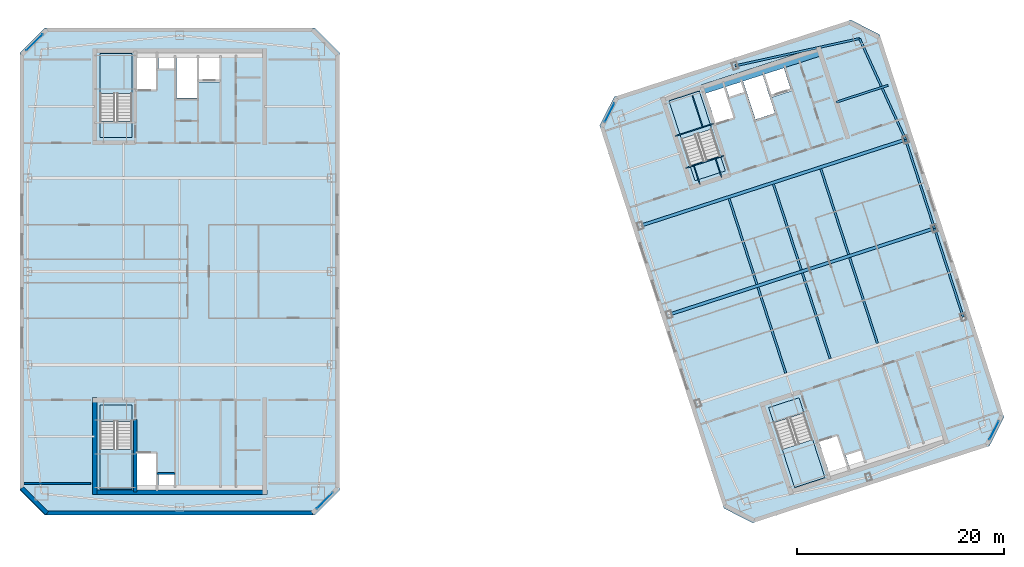
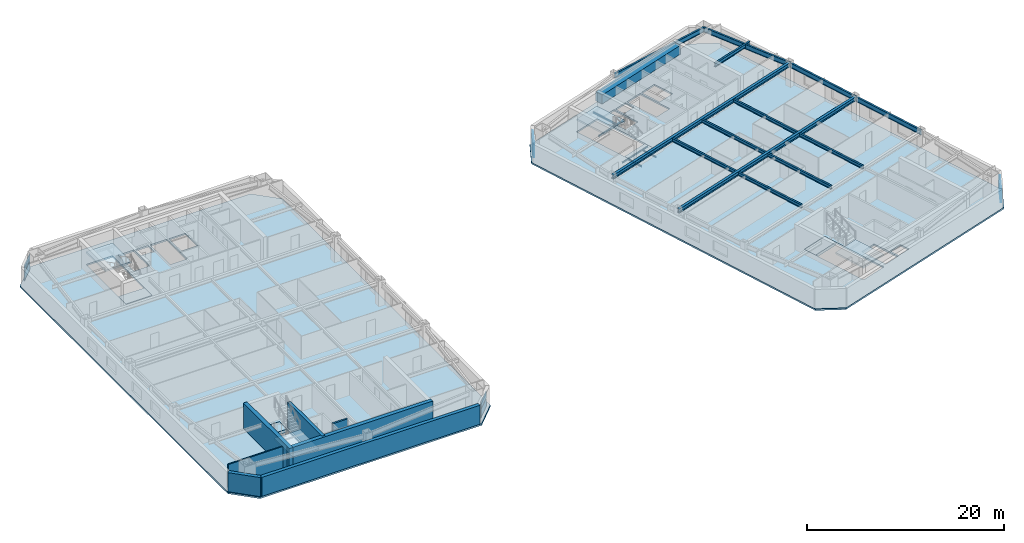
# One storey, part 11 of 20: 19 beams, 10 slabs, 8 plates, 7 walls, 8 elements without a shape of their own.
"""IFC4 building model written with IfcOpenShell, lengths in metres."""

from ifc_helpers import new_model, si_unit, direction, frame, frame_2d, origin, origin_2d, place, context, subcontext, project, spatial, polyline, rectangle, i_section, outline, extrude, material, layer, layer_set, material_profile, profile_set, type_object, element, aggregate, save


model = new_model("IFC4")

# Units and contexts
model_context = context("Model", 3, precision=1e-05, world=origin(), true_north=direction((0.0, 1.0)))
body_context = subcontext(model_context, "Body", "Model", "MODEL_VIEW")
ifc_project = project(units=[si_unit("LENGTHUNIT", "METRE"), si_unit("AREAUNIT", "SQUARE_METRE"), si_unit("VOLUMEUNIT", "CUBIC_METRE"), si_unit("PLANEANGLEUNIT", "RADIAN"), si_unit("MASSUNIT", "GRAM", prefix="KILO")], contexts=[model_context])

# Site, building, storey
site_placement = place(None, origin())
site = spatial("IfcSite", under=ifc_project, at=site_placement, CompositionType="ELEMENT")
building_placement = place(site_placement, origin())
building = spatial("IfcBuilding", under=site, at=building_placement, Name="Qiaolan Cultural Towers", CompositionType="ELEMENT")
storey_placement = place(building_placement, frame((0.0, 0.0, 244.0)))
storey = spatial("IfcBuildingStorey", under=building, at=storey_placement, Name="L66", CompositionType="ELEMENT", Elevation=244.0)

# Beams
ifc_material_1 = material(Name="Steel Q355B", Category="steel")
ifc_material_profile_1 = material_profile(ifc_material_1, i_section(OverallWidth=0.300048828125, OverallDepth=0.488037109375, WebThickness=0.010986328125, FlangeThickness=0.01806640625, at=origin_2d()), Name="HM488x300x11x18")
ifc_profile_set_1 = profile_set([ifc_material_profile_1], Name="Steel Q355B")
beam_type_1 = type_object("IfcBeamType", Name="BM-HM488x300x11x18", PredefinedType="BEAM", material=ifc_profile_set_1)
beam_1_placement = place(storey_placement, frame((77.208251953125, 29.84375, 2.696044921875), z_axis=(0.95105740976, 0.309014244561, 0.0), x_axis=(-0.309014244561, 0.95105740976, 0.0)))
element("IfcBeam", 1, at=beam_1_placement, inside=storey, type_object=beam_type_1, Name="L66 T2 Primary Transverse Girder V2", PredefinedType="BEAM", context=body_context, shape_type="SweptSolid", body=[
    extrude(i_section(OverallWidth=0.300048828125, OverallDepth=0.488037109375, WebThickness=0.010986328125, FlangeThickness=0.01806640625, at=origin_2d()), origin(), (0.0, 0.0, 1.0), 26.900146484375),
])
beam_2_placement = place(storey_placement, frame((74.42724609375, 38.4033203125, 2.696044921875), z_axis=(0.951056543098, 0.309016911884, 0.0), x_axis=(-0.309016911884, 0.951056543098, 0.0)))
element("IfcBeam", 2, at=beam_2_placement, inside=storey, type_object=beam_type_1, Name="L66 T2 Primary Transverse Girder V3", PredefinedType="BEAM", context=body_context, shape_type="SweptSolid", body=[
    extrude(i_section(OverallWidth=0.300048828125, OverallDepth=0.488037109375, WebThickness=0.010986328125, FlangeThickness=0.01806640625, at=origin_2d()), origin(), (0.0, 0.0, 1.0), 26.89990234375),
])
ifc_material_2 = material(Name="Steel Q355B", Category="steel")
ifc_material_profile_2 = material_profile(ifc_material_2, i_section(OverallWidth=0.199951171875, OverallDepth=0.39990234375, WebThickness=0.008056640625, FlangeThickness=0.012939453125, at=origin_2d()), Name="HN400x200x8x13")
ifc_profile_set_2 = profile_set([ifc_material_profile_2], Name="Steel Q355B")
beam_type_2 = type_object("IfcBeamType", Name="BM-JST-HN400x200x8x13", PredefinedType="JOIST", material=ifc_profile_set_2)
for number, where, z_axis, x_axis, name in (
    (3, (88.455078125, 24.192626953125, 2.739990234375), (-0.309020714809, 0.951055307445, 0.0), (-0.951055307445, -0.309020714809, 0.0), "L66 T2 Secondary Floor Joist U1-2"),
    (4, (85.673828125, 32.752197265625, 2.739990234375), (-0.309020714809, 0.951055307445, 0.0), (-0.951055307445, -0.309020714809, 0.0), "L66 T2 Secondary Floor Joist U1-3"),
    (5, (92.73486328125, 25.583251953125, 2.739990234375), (-0.309020714809, 0.951055307445, 0.0), (-0.951055307445, -0.309020714809, 0.0), "L66 T2 Secondary Floor Joist U2-2"),
    (6, (89.95361328125, 34.142578125, 2.739990234375), (-0.309020714809, 0.951055307445, 0.0), (-0.951055307445, -0.309020714809, 0.0), "L66 T2 Secondary Floor Joist U2-3"),
    (7, (97.2998046875, 27.06640625, 2.739990234375), (-0.309020714809, 0.951055307445, 0.0), (-0.951055307445, -0.309020714809, 0.0), "L66 T2 Secondary Floor Joist U3-2"),
    (8, (94.518798828125, 35.6259765625, 2.739990234375), (-0.309020714809, 0.951055307445, 0.0), (-0.951055307445, -0.309020714809, 0.0), "L66 T2 Secondary Floor Joist U3-3"),
):
    element("IfcBeam", number, at=place(storey_placement, frame(where, z_axis=z_axis, x_axis=x_axis)), inside=storey, type_object=beam_type_2, Name=name, PredefinedType="JOIST", context=body_context, shape_type="SweptSolid", body=[
        extrude(i_section(OverallWidth=0.199951171875, OverallDepth=0.39990234375, WebThickness=0.008056640625, FlangeThickness=0.012939453125, at=origin_2d()), origin(), (0.0, 0.0, 1.0), 8.699951171875),
    ])
ifc_material_3 = material(Name="Steel Q355B", Category="steel")
ifc_material_profile_3 = material_profile(ifc_material_3, i_section(OverallWidth=0.199951171875, OverallDepth=0.449951171875, WebThickness=0.009033203125, FlangeThickness=0.013916015625, at=origin_2d()), Name="HN450x200x9x14")
ifc_profile_set_3 = profile_set([ifc_material_profile_3], Name="Steel Q355B")
beam_type_3 = type_object("IfcBeamType", Name="BM-LNT-HN450x200x9x14", PredefinedType="LINTEL", material=ifc_profile_set_3)
beam_3_placement = place(storey_placement, frame((93.31787109375, 50.32421875, 2.715087890625), z_axis=(0.951060037126, 0.309006158161, 0.0), x_axis=(-0.309006158161, 0.951060037126, 0.0)))
element("IfcBeam", 9, at=beam_3_placement, inside=storey, type_object=beam_type_3, Name="L66 T2 Core Flank Tie Lintel EN", PredefinedType="LINTEL", context=body_context, shape_type="SweptSolid", body=[
    extrude(i_section(OverallWidth=0.199951171875, OverallDepth=0.449951171875, WebThickness=0.009033203125, FlangeThickness=0.013916015625, at=origin_2d()), origin(), (0.0, 0.0, 1.0), 5.25),
])
ifc_material_4 = material(Name="Concrete C50", Category="concrete")
ifc_material_profile_4 = material_profile(ifc_material_4, rectangle(XDim=0.89990234375, YDim=1.10009765625, at=origin_2d()), Name="RC900x1100")
ifc_profile_set_4 = profile_set([ifc_material_profile_4], Name="Concrete C50")
beam_type_4 = type_object("IfcBeamType", Name="BM-RC900x1100", PredefinedType="BEAM", material=ifc_profile_set_4)
beam_4_placement = place(storey_placement, frame((80.427978515625, 51.551025390625, 2.389892578125), z_axis=(0.951056266386, 0.309017763514, 0.0), x_axis=(-0.309017763514, 0.951056266386, 0.0)))
element("IfcBeam", 10, at=beam_4_placement, inside=storey, type_object=beam_type_4, Name="L66 T2 Core Header Girder N", PredefinedType="BEAM", context=body_context, shape_type="SweptSolid", body=[
    extrude(rectangle(XDim=0.89990234375, YDim=1.10009765625, at=origin_2d()), origin(), (0.0, 0.0, 1.0), 11.880126953125),
])
ifc_material_5 = material(Name="Steel Q355B", Category="steel")
ifc_material_profile_5 = material_profile(ifc_material_5, i_section(OverallWidth=0.199951171875, OverallDepth=0.60009765625, WebThickness=0.010986328125, FlangeThickness=0.01708984375, at=origin_2d()), Name="HN600x200x11x17")
ifc_profile_set_5 = profile_set([ifc_material_profile_5], Name="Steel Q355B")
beam_type_5 = type_object("IfcBeamType", Name="BM-SPD-HN600x200x11x17", PredefinedType="SPANDREL", material=ifc_profile_set_5)
for number, where, z_axis, x_axis, name in (
    (11, (105.57275390625, 29.5966796875, 2.639892578125), (-0.309000197986, 0.951061973609, 0.0), (-0.951061973609, -0.309000197986, 0.0), "L66 T2 Perimeter Spandrel Beam 4"),
    (12, (102.791748046875, 38.15625, 2.639892578125), (-0.309024734286, 0.951054001411, 0.0), (-0.951054001411, -0.309024734286, 0.0), "L66 T2 Perimeter Spandrel Beam 5"),
):
    element("IfcBeam", number, at=place(storey_placement, frame(where, z_axis=z_axis, x_axis=x_axis)), inside=storey, type_object=beam_type_5, Name=name, PredefinedType="SPANDREL", context=body_context, shape_type="SweptSolid", body=[
        extrude(i_section(OverallWidth=0.199951171875, OverallDepth=0.60009765625, WebThickness=0.010986328125, FlangeThickness=0.01708984375, at=origin_2d()), origin(), (0.0, 0.0, 1.0), 9.0),
    ])
beam_5_placement = place(storey_placement, frame((100.010498046875, 46.7158203125, 2.639892578125), z_axis=(-0.414500208282, 0.910049216985, 0.0), x_axis=(-0.910049216985, -0.414500208282, 0.0)))
element("IfcBeam", 13, at=beam_5_placement, inside=storey, type_object=beam_type_5, Name="L66 T2 Perimeter Spandrel Beam 6", PredefinedType="SPANDREL", context=body_context, shape_type="SweptSolid", body=[
    extrude(i_section(OverallWidth=0.199951171875, OverallDepth=0.60009765625, WebThickness=0.010986328125, FlangeThickness=0.01708984375, at=origin_2d()), origin(), (0.0, 0.0, 1.0), 10.70849609375),
])
beam_6_placement = place(storey_placement, frame((95.57177734375, 56.461181640625, 2.639892578125), z_axis=(-0.976843395078, -0.213955559619, 0.0), x_axis=(0.213955559619, -0.976843395078, 0.0)))
element("IfcBeam", 14, at=beam_6_placement, inside=storey, type_object=beam_type_5, Name="L66 T2 Perimeter Spandrel Beam 7", PredefinedType="SPANDREL", context=body_context, shape_type="SweptSolid", body=[
    extrude(i_section(OverallWidth=0.199951171875, OverallDepth=0.60009765625, WebThickness=0.010986328125, FlangeThickness=0.01708984375, at=origin_2d()), origin(), (0.0, 0.0, 1.0), 12.2998046875),
])
ifc_material_6 = material(Name="Steel Q355B", Category="steel")
ifc_material_profile_6 = material_profile(ifc_material_6, i_section(OverallWidth=0.10009765625, OverallDepth=0.199951171875, WebThickness=0.005615234375, FlangeThickness=0.008056640625, at=origin_2d()), Name="HN200x100x5.5x8")
ifc_profile_set_6 = profile_set([ifc_material_profile_6], Name="Steel Q355B")
beam_type_6 = type_object("IfcBeamType", Name="BM-STTRIM-200", PredefinedType="BEAM", material=ifc_profile_set_6)
beam_7_placement = place(storey_placement, frame((78.773193359375, 43.958251953125, -0.4599609375), z_axis=(0.951072048947, 0.3089691857, 0.0), x_axis=(-0.3089691857, 0.951072048947, 0.0)))
element("IfcBeam", 15, at=beam_7_placement, inside=storey, type_object=beam_type_6, Name="L66 ST-E2 Floor Landing Header Beam", PredefinedType="BEAM", context=body_context, shape_type="SweptSolid", body=[
    extrude(i_section(OverallWidth=0.10009765625, OverallDepth=0.199951171875, WebThickness=0.005615234375, FlangeThickness=0.008056640625, at=origin_2d()), origin(), (0.0, 0.0, 1.0), 3.920166015625),
])
for number, where, z_axis, x_axis, name in (
    (16, (80.18115234375, 42.375732421875, -0.4599609375), (-0.308969394428, 0.951071981138, 0.0), (-0.951071981138, -0.308969394428, 0.0), "L66 ST-E2 Floor Landing Stringer 1"),
    (17, (82.2734375, 43.0556640625, -0.4599609375), (-0.308969394428, 0.951071981138, 0.0), (-0.951071981138, -0.308969394428, 0.0), "L66 ST-E2 Floor Landing Stringer 2"),
):
    element("IfcBeam", number, at=place(storey_placement, frame(where, z_axis=z_axis, x_axis=x_axis)), inside=storey, type_object=beam_type_6, Name=name, PredefinedType="BEAM", context=body_context, shape_type="SweptSolid", body=[
        extrude(i_section(OverallWidth=0.10009765625, OverallDepth=0.199951171875, WebThickness=0.005615234375, FlangeThickness=0.008056640625, at=origin_2d()), origin(), (0.0, 0.0, 1.0), 1.93994140625),
    ])
beam_8_placement = place(storey_placement, frame((77.769287109375, 47.0478515625, 1.300048828125), z_axis=(0.951053746643, 0.309025518358, 0.0), x_axis=(-0.309025518358, 0.951053746643, 0.0)))
element("IfcBeam", 18, at=beam_8_placement, inside=storey, type_object=beam_type_6, Name="L66 ST-E2 Stair Landing Support Beam 1-1", PredefinedType="BEAM", context=body_context, shape_type="SweptSolid", body=[
    extrude(i_section(OverallWidth=0.10009765625, OverallDepth=0.199951171875, WebThickness=0.005615234375, FlangeThickness=0.008056640625, at=origin_2d()), origin(), (0.0, 0.0, 1.0), 3.920166015625),
])
beam_9_placement = place(storey_placement, frame((80.44189453125, 47.916259765625, 1.300048828125), z_axis=(-0.309033108495, 0.951051280349, 0.0), x_axis=(-0.951051280349, -0.309033108495, 0.0)))
element("IfcBeam", 19, at=beam_9_placement, inside=storey, type_object=beam_type_6, Name="L66 ST-E2 Stair Landing Trimmer 1", PredefinedType="BEAM", context=body_context, shape_type="SweptSolid", body=[
    extrude(i_section(OverallWidth=0.10009765625, OverallDepth=0.199951171875, WebThickness=0.005615234375, FlangeThickness=0.008056640625, at=origin_2d()), origin(), (0.0, 0.0, 1.0), 3.231201171875),
])

# Curtain wall, plates
ifc_material_7 = material(Name="Unitized Anodized Aluminium Curtain Wall System", Category="aluminium")
ifc_layer_1 = layer(ifc_material_7, 0.199951171875)
ifc_layer_set_1 = layer_set([ifc_layer_1], Name="Unitized Anodized Aluminium Curtain Wall System")
curtain_wall_type = type_object("IfcCurtainWallType", Name="CWS-05", PredefinedType="NOTDEFINED", material=ifc_layer_set_1)
curtain_wall_1_placement = place(storey_placement, origin())
curtain_wall_1 = element("IfcCurtainWall", 20, at=curtain_wall_1_placement, inside=storey, type_object=curtain_wall_type, Name="L66 T1 Chamfer Wind-Corner Feature Curtain Wall 1", PredefinedType="NOTDEFINED")
ifc_material_8 = material(Name="Laminated Low-E Insulating Glass Unit", Category="glass")
ifc_layer_2 = layer(ifc_material_8, 0.035888671875)
ifc_layer_set_2 = layer_set([ifc_layer_2], Name="Laminated Low-E Insulating Glass Unit")
plate_type = type_object("IfcPlateType", Name="CWS-05-PNL", PredefinedType="CURTAIN_PANEL", material=ifc_layer_set_2)
plate_1_placement = place(storey_placement, frame((16.0, 56.10009765625, 0.215087890625), z_axis=(0.0, 0.0, 1.0), x_axis=(0.707106781187, 0.707106781187, 0.0)))
plate_1 = element("IfcPlate", 21, at=plate_1_placement, type_object=plate_type, Name="CW-5 panel 1.1", PredefinedType="CURTAIN_PANEL", context=body_context, shape_type="SweptSolid", body=[
    extrude(rectangle(XDim=2.157958984375, YDim=0.035888671875, at=origin_2d()), origin(), (0.0, 0.0, 1.0), 1.00244140625),
])
plate_2_placement = place(storey_placement, frame((16.0, 56.10009765625, 1.282470703125), z_axis=(0.0, 0.0, 1.0), x_axis=(0.707106781187, 0.707106781187, 0.0)))
plate_2 = element("IfcPlate", 22, at=plate_2_placement, type_object=plate_type, Name="CW-5 panel 1.2", PredefinedType="CURTAIN_PANEL", context=body_context, shape_type="SweptSolid", body=[
    extrude(rectangle(XDim=2.157958984375, YDim=0.035888671875, at=origin_2d()), origin(), (0.0, 0.0, 1.0), 0.91259765625),
])
aggregate(curtain_wall_1, [plate_1, plate_2])

curtain_wall_2_placement = place(storey_placement, origin())
curtain_wall_2 = element("IfcCurtainWall", 23, at=curtain_wall_2_placement, inside=storey, type_object=curtain_wall_type, Name="L66 T1 Chamfer Wind-Corner Feature Curtain Wall 2", PredefinedType="NOTDEFINED")
plate_3_placement = place(storey_placement, frame((44.0, 11.89990234375, 0.215087890625), z_axis=(0.0, 0.0, 1.0), x_axis=(-0.707106781187, -0.707106781187, 0.0)))
plate_3 = element("IfcPlate", 24, at=plate_3_placement, type_object=plate_type, Name="CW-5 panel 1.1", PredefinedType="CURTAIN_PANEL", context=body_context, shape_type="SweptSolid", body=[
    extrude(rectangle(XDim=2.157958984375, YDim=0.035888671875, at=origin_2d()), origin(), (0.0, 0.0, 1.0), 1.00244140625),
])
plate_4_placement = place(storey_placement, frame((44.0, 11.89990234375, 1.282470703125), z_axis=(0.0, 0.0, 1.0), x_axis=(-0.707106781187, -0.707106781187, 0.0)))
plate_4 = element("IfcPlate", 25, at=plate_4_placement, type_object=plate_type, Name="CW-5 panel 1.2", PredefinedType="CURTAIN_PANEL", context=body_context, shape_type="SweptSolid", body=[
    extrude(rectangle(XDim=2.157958984375, YDim=0.035888671875, at=origin_2d()), origin(), (0.0, 0.0, 1.0), 0.91259765625),
])
aggregate(curtain_wall_2, [plate_3, plate_4])

curtain_wall_3_placement = place(storey_placement, origin())
curtain_wall_3 = element("IfcCurtainWall", 26, at=curtain_wall_3_placement, inside=storey, type_object=curtain_wall_type, Name="L66 T2 Chamfer Wind-Corner Feature Curtain Wall 1", PredefinedType="NOTDEFINED")
plate_5_placement = place(storey_placement, frame((71.458251953125, 49.320068359375, 0.215087890625), z_axis=(0.0, 0.0, 1.0), x_axis=(0.45399044755, 0.89100655078, 0.0)))
plate_5 = element("IfcPlate", 27, at=plate_5_placement, type_object=plate_type, Name="CW-5 panel 1.1", PredefinedType="CURTAIN_PANEL", context=body_context, shape_type="SweptSolid", body=[
    extrude(rectangle(XDim=1.965576171875, YDim=0.035888671875, at=origin_2d()), origin(), (0.0, 0.0, 1.0), 1.00244140625),
])
plate_6_placement = place(storey_placement, frame((71.458251953125, 49.320068359375, 1.282470703125), z_axis=(0.0, 0.0, 1.0), x_axis=(0.45399044755, 0.89100655078, 0.0)))
plate_6 = element("IfcPlate", 28, at=plate_6_placement, type_object=plate_type, Name="CW-5 panel 1.2", PredefinedType="CURTAIN_PANEL", context=body_context, shape_type="SweptSolid", body=[
    extrude(rectangle(XDim=1.965576171875, YDim=0.035888671875, at=origin_2d()), origin(), (0.0, 0.0, 1.0), 0.91259765625),
])
aggregate(curtain_wall_3, [plate_5, plate_6])

curtain_wall_4_placement = place(storey_placement, origin())
curtain_wall_4 = element("IfcCurtainWall", 29, at=curtain_wall_4_placement, inside=storey, type_object=curtain_wall_type, Name="L66 T2 Chamfer Wind-Corner Feature Curtain Wall 2", PredefinedType="NOTDEFINED")
plate_7_placement = place(storey_placement, frame((108.541748046875, 18.679931640625, 0.215087890625), z_axis=(0.0, 0.0, 1.0), x_axis=(-0.45399044755, -0.89100655078, 0.0)))
plate_7 = element("IfcPlate", 30, at=plate_7_placement, type_object=plate_type, Name="CW-5 panel 1.1", PredefinedType="CURTAIN_PANEL", context=body_context, shape_type="SweptSolid", body=[
    extrude(rectangle(XDim=1.965576171875, YDim=0.035888671875, at=origin_2d()), origin(), (0.0, 0.0, 1.0), 1.00244140625),
])
plate_8_placement = place(storey_placement, frame((108.541748046875, 18.679931640625, 1.282470703125), z_axis=(0.0, 0.0, 1.0), x_axis=(-0.45399044755, -0.89100655078, 0.0)))
plate_8 = element("IfcPlate", 31, at=plate_8_placement, type_object=plate_type, Name="CW-5 panel 1.2", PredefinedType="CURTAIN_PANEL", context=body_context, shape_type="SweptSolid", body=[
    extrude(rectangle(XDim=1.965576171875, YDim=0.035888671875, at=origin_2d()), origin(), (0.0, 0.0, 1.0), 0.91259765625),
])
aggregate(curtain_wall_4, [plate_7, plate_8])

# Slabs
ifc_material_9 = material(Name="Concrete C45", Category="concrete")
ifc_layer_3 = layer(ifc_material_9, 0.199951171875)
ifc_layer_set_3 = layer_set([ifc_layer_3], Name="Concrete C45")
slab_type_1 = type_object("IfcSlabType", Name="SL-HI-200", PredefinedType="FLOOR", material=ifc_layer_set_3)
slab_1_placement = place(storey_placement, frame((0.0, 0.0, -0.199951171875)))
element("IfcSlab", 32, at=slab_1_placement, inside=storey, type_object=slab_type_1, Name="L66 West Tower Floor Slab", PredefinedType="FLOOR", context=body_context, shape_type="SweptSolid", body=[
    extrude(outline(polyline([(17.0, 10.5), (43.0, 10.5), (45.39990234375, 12.89990234375), (45.39990234375, 55.10009765625), (43.0, 57.5), (17.0, 57.5), (14.60009765625, 55.10009765625), (14.60009765625, 12.89990234375), (17.0, 10.5)]), holes=[polyline([(22.300048828125, 21.10009765625), (22.300048828125, 13.0), (25.3798828125, 13.0), (25.3798828125, 21.10009765625), (22.300048828125, 21.10009765625)]), polyline([(25.3798828125, 46.89990234375), (25.3798828125, 55.0), (22.300048828125, 55.0), (22.300048828125, 46.89990234375), (25.3798828125, 46.89990234375)]), polyline([(25.89990234375, 13.199951171875), (27.75, 13.199951171875), (27.75, 16.449951171875), (25.89990234375, 16.449951171875), (25.89990234375, 13.199951171875)]), polyline([(27.93994140625, 13.25), (29.449951171875, 13.25), (29.449951171875, 14.419921875), (27.93994140625, 14.419921875), (27.93994140625, 13.25)]), polyline([(25.89990234375, 51.550048828125), (27.75, 51.550048828125), (27.75, 54.800048828125), (25.89990234375, 54.800048828125), (25.89990234375, 51.550048828125)]), polyline([(27.93994140625, 53.580078125), (29.449951171875, 53.580078125), (29.449951171875, 54.75), (27.93994140625, 54.75), (27.93994140625, 53.580078125)]), polyline([(31.8798828125, 52.27001953125), (33.820068359375, 52.27001953125), (33.820068359375, 54.75), (31.8798828125, 54.75), (31.8798828125, 52.27001953125)]), polyline([(29.679931640625, 50.719970703125), (31.659912109375, 50.719970703125), (31.659912109375, 54.75), (29.679931640625, 54.75), (29.679931640625, 50.719970703125)])]), origin(), (0.0, 0.0, 1.0), 0.199951171875),
])
slab_2_placement = place(storey_placement, frame((0.0, 0.0, -0.199951171875)))
element("IfcSlab", 33, at=slab_2_placement, inside=storey, type_object=slab_type_1, Name="L66 East Tower Floor Slab", PredefinedType="FLOOR", context=body_context, shape_type="SweptSolid", body=[
    extrude(outline(polyline([(85.26220703125, 9.7490234375), (108.08740234375, 17.165283203125), (109.5, 19.9375), (97.510009765625, 56.838623046875), (94.73779296875, 58.2509765625), (71.91259765625, 50.834716796875), (70.5, 48.0625), (82.489990234375, 11.161376953125), (85.26220703125, 9.7490234375)]), holes=[polyline([(86.80126953125, 20.868896484375), (89.30419921875, 13.165283203125), (92.2333984375, 14.116943359375), (89.73046875, 21.820556640625), (86.80126953125, 20.868896484375)]), polyline([(82.623046875, 43.69482421875), (80.1201171875, 51.3984375), (77.190673828125, 50.44677734375), (79.69384765625, 42.7431640625), (82.623046875, 43.69482421875)]), polyline([(92.666259765625, 14.468017578125), (94.42578125, 15.03955078125), (93.42138671875, 18.130615234375), (91.661865234375, 17.558837890625), (92.666259765625, 14.468017578125)]), polyline([(94.5908203125, 15.14599609375), (96.027099609375, 15.612548828125), (95.66552734375, 16.725341796875), (94.2294921875, 16.258544921875), (94.5908203125, 15.14599609375)]), polyline([(81.6806640625, 48.278076171875), (83.440185546875, 48.849609375), (82.435791015625, 51.940673828125), (80.67626953125, 51.368896484375), (81.6806640625, 48.278076171875)]), polyline([(82.993408203125, 50.839111328125), (84.4296875, 51.3056640625), (84.068115234375, 52.41845703125), (82.632080078125, 51.95166015625), (82.993408203125, 50.839111328125)]), polyline([(87.1455078125, 50.810791015625), (88.990478515625, 51.41015625), (88.22412109375, 53.768798828125), (86.379150390625, 53.169189453125), (87.1455078125, 50.810791015625)]), polyline([(85.5322265625, 48.65673828125), (87.415283203125, 49.2685546875), (86.169921875, 53.101318359375), (84.286865234375, 52.489501953125), (85.5322265625, 48.65673828125)])]), origin(), (0.0, 0.0, 1.0), 0.199951171875),
])

# Stair, slab
ifc_material_10 = material(Name="Concrete C45", Category="concrete")
stair_type = type_object("IfcStairType", Name="STR-CORE-1500", PredefinedType="HALF_TURN_STAIR", material=ifc_material_10)
stair_1_placement = place(storey_placement, origin())
stair_1 = element("IfcStair", 34, at=stair_1_placement, inside=storey, type_object=stair_type, Name="L66 Smokeproof Exit Stair ST-W1", PredefinedType="HALF_TURN_STAIR")
ifc_material_11 = material(Name="Concrete C45", Category="concrete")
ifc_layer_4 = layer(ifc_material_11, 0.199951171875)
ifc_layer_set_4 = layer_set([ifc_layer_4], Name="Concrete C45")
slab_type_2 = type_object("IfcSlabType", Name="SL-STAIR-LAND", PredefinedType="LANDING", material=ifc_layer_set_4)
slab_3_placement = place(storey_placement, frame((0.0, 0.0, 1.39990234375)))
slab_3 = element("IfcSlab", 35, at=slab_3_placement, type_object=slab_type_2, Name="ST-W1 landing 1", PredefinedType="LANDING", context=body_context, shape_type="SweptSolid", body=[
    extrude(outline(polyline([(22.300048828125, 16.851318359375), (22.300048828125, 13.0), (25.3798828125, 13.0), (25.3798828125, 16.851318359375), (22.300048828125, 16.851318359375)])), origin(), (0.0, 0.0, 1.0), 0.2001953125),
])
aggregate(stair_1, [slab_3])

stair_2_placement = place(storey_placement, origin())
stair_2 = element("IfcStair", 36, at=stair_2_placement, inside=storey, type_object=stair_type, Name="L66 Smokeproof Exit Stair ST-W2", PredefinedType="HALF_TURN_STAIR")
slab_4_placement = place(storey_placement, frame((0.0, 0.0, 1.39990234375)))
slab_4 = element("IfcSlab", 37, at=slab_4_placement, type_object=slab_type_2, Name="ST-W2 landing 1", PredefinedType="LANDING", context=body_context, shape_type="SweptSolid", body=[
    extrude(outline(polyline([(25.3798828125, 51.148681640625), (25.3798828125, 55.0), (22.300048828125, 55.0), (22.300048828125, 51.148681640625), (25.3798828125, 51.148681640625)])), origin(), (0.0, 0.0, 1.0), 0.2001953125),
])
aggregate(stair_2, [slab_4])

stair_3_placement = place(storey_placement, origin())
stair_3 = element("IfcStair", 38, at=stair_3_placement, inside=storey, type_object=stair_type, Name="L66 Smokeproof Exit Stair ST-E1", PredefinedType="HALF_TURN_STAIR")
slab_5_placement = place(storey_placement, frame((0.0, 0.0, 1.39990234375)))
slab_5 = element("IfcSlab", 39, at=slab_5_placement, type_object=slab_type_2, Name="ST-E1 landing 1", PredefinedType="LANDING", context=body_context, shape_type="SweptSolid", body=[
    extrude(outline(polyline([(88.114013671875, 16.828125), (89.30419921875, 13.165283203125), (92.2333984375, 14.116943359375), (91.04345703125, 17.77978515625), (88.114013671875, 16.828125)])), origin(), (0.0, 0.0, 1.0), 0.2001953125),
])
aggregate(stair_3, [slab_5])

stair_4_placement = place(storey_placement, origin())
stair_4 = element("IfcStair", 40, at=stair_4_placement, inside=storey, type_object=stair_type, Name="L66 Smokeproof Exit Stair ST-E2", PredefinedType="HALF_TURN_STAIR")
slab_6_placement = place(storey_placement, frame((0.0, 0.0, 1.39990234375)))
slab_6 = element("IfcSlab", 41, at=slab_6_placement, type_object=slab_type_2, Name="ST-E2 landing 1", PredefinedType="LANDING", context=body_context, shape_type="SweptSolid", body=[
    extrude(outline(polyline([(81.31005859375, 47.735595703125), (80.1201171875, 51.3984375), (77.190673828125, 50.44677734375), (78.380859375, 46.783935546875), (81.31005859375, 47.735595703125)])), origin(), (0.0, 0.0, 1.0), 0.2001953125),
])
aggregate(stair_4, [slab_6])

# Slabs
ifc_material_12 = material(Name="Concrete C40", Category="concrete")
ifc_layer_5 = layer(ifc_material_12, 0.360107421875)
ifc_layer_set_5 = layer_set([ifc_layer_5], Name="Concrete C40")
slab_type_3 = type_object("IfcSlabType", Name="SL-STFLR-360", PredefinedType="LANDING", material=ifc_layer_set_5)
slab_7_placement = place(storey_placement, frame((0.0, 0.0, -0.360107421875)))
element("IfcSlab", 42, at=slab_7_placement, inside=storey, type_object=slab_type_3, Name="L66 ST-W1 Stair Floor Landing Slab", PredefinedType="LANDING", context=body_context, shape_type="SweptSolid", body=[
    extrude(outline(polyline([(22.302001953125, 21.097900390625), (22.302001953125, 19.548583984375), (25.3779296875, 19.548583984375), (25.3779296875, 21.097900390625), (22.302001953125, 21.097900390625)])), origin(), (0.0, 0.0, 1.0), 0.360107421875),
])
slab_8_placement = place(storey_placement, frame((0.0, 0.0, -0.360107421875)))
element("IfcSlab", 43, at=slab_8_placement, inside=storey, type_object=slab_type_3, Name="L66 ST-W2 Stair Floor Landing Slab", PredefinedType="LANDING", context=body_context, shape_type="SweptSolid", body=[
    extrude(outline(polyline([(25.3779296875, 46.902099609375), (25.3779296875, 48.451416015625), (22.302001953125, 48.451416015625), (22.302001953125, 46.902099609375), (25.3779296875, 46.902099609375)])), origin(), (0.0, 0.0, 1.0), 0.360107421875),
])
slab_9_placement = place(storey_placement, frame((0.0, 0.0, -0.360107421875)))
element("IfcSlab", 44, at=slab_9_placement, inside=storey, type_object=slab_type_3, Name="L66 ST-E1 Stair Floor Landing Slab", PredefinedType="LANDING", context=body_context, shape_type="SweptSolid", body=[
    extrude(outline(polyline([(86.8037109375, 20.867431640625), (87.282470703125, 19.39404296875), (90.2080078125, 20.3447265625), (89.729248046875, 21.818115234375), (86.8037109375, 20.867431640625)])), origin(), (0.0, 0.0, 1.0), 0.360107421875),
])
slab_10_placement = place(storey_placement, frame((0.0, 0.0, -0.360107421875)))
element("IfcSlab", 45, at=slab_10_placement, inside=storey, type_object=slab_type_3, Name="L66 ST-E2 Stair Floor Landing Slab", PredefinedType="LANDING", context=body_context, shape_type="SweptSolid", body=[
    extrude(outline(polyline([(82.62060546875, 43.6962890625), (82.141845703125, 45.169677734375), (79.21630859375, 44.21923828125), (79.695068359375, 42.74560546875), (82.62060546875, 43.6962890625)])), origin(), (0.0, 0.0, 1.0), 0.360107421875),
])

# Walls
ifc_material_13 = material(Name="Concrete C50", Category="concrete")
ifc_layer_6 = layer(ifc_material_13, 0.35009765625)
ifc_layer_set_6 = layer_set([ifc_layer_6], Name="Concrete C50")
wall_type_1 = type_object("IfcWallType", Name="WL-CORE-350", PredefinedType="SHEAR", material=ifc_layer_set_6)
wall_1_placement = place(storey_placement, frame((25.719970703125, 19.699951171875, 0.0), z_axis=(0.0, 0.0, 1.0), x_axis=(0.0, -1.0, 0.0)))
element("IfcWall", 46, at=wall_1_placement, inside=storey, type_object=wall_type_1, Name="L66 T1-CS Stair Core Dividing Web", PredefinedType="SHEAR", context=body_context, shape_type="SweptSolid", body=[
    extrude(rectangle(XDim=6.97998046875, YDim=0.35009765625, at=frame_2d((3.489990234375, 0.0))), origin(), (0.0, 0.0, 1.0), 3.199951171875),
])
ifc_material_14 = material(Name="Concrete C50", Category="concrete")
ifc_layer_7 = layer(ifc_material_14, 0.449951171875)
ifc_layer_set_7 = layer_set([ifc_layer_7], Name="Concrete C50")
wall_type_2 = type_object("IfcWallType", Name="WL-CORE-450", PredefinedType="SHEAR", material=ifc_layer_set_7)
wall_2_placement = place(storey_placement, frame((21.574951171875, 12.719970703125, 0.0), z_axis=(0.0, 0.0, 1.0), x_axis=(1.0, 0.0, 0.0)))
element("IfcWall", 47, at=wall_2_placement, inside=storey, type_object=wall_type_2, Name="L66 T1-CS Outer Core Shear Wall", PredefinedType="SHEAR", context=body_context, shape_type="SweptSolid", body=[
    extrude(rectangle(XDim=16.85009765625, YDim=0.449951171875, at=frame_2d((8.425048828125, 0.0))), origin(), (0.0, 0.0, 1.0), 3.199951171875),
])
wall_3_placement = place(storey_placement, frame((21.800048828125, 21.824951171875, 0.0), z_axis=(0.0, 0.0, 1.0), x_axis=(0.0, -1.0, 0.0)))
element("IfcWall", 48, at=wall_3_placement, inside=storey, type_object=wall_type_2, Name="L66 T1-CS West Core Shear Wall", PredefinedType="SHEAR", context=body_context, shape_type="SweptSolid", body=[
    extrude(rectangle(XDim=9.329833984375, YDim=0.449951171875, at=frame_2d((4.6650390625, 0.0))), origin(), (0.0, 0.0, 1.0), 3.199951171875),
])
ifc_material_15 = material(Name="Precast Concrete C50 Honed Stone Pier", Category="masonry")
ifc_layer_8 = layer(ifc_material_15, 0.39990234375)
ifc_layer_set_8 = layer_set([ifc_layer_8], Name="Precast Concrete C50 Honed Stone Pier")
wall_type_3 = type_object("IfcWallType", Name="WL-EXT-PIER-400", PredefinedType="SOLIDWALL", material=ifc_layer_set_8)
wall_4_placement = place(storey_placement, frame((42.800048828125, 10.699951171875, 0.0), z_axis=(0.0, 0.0, 1.0), x_axis=(-1.0, 0.0, 0.0)))
element("IfcWall", 49, at=wall_4_placement, inside=storey, type_object=wall_type_3, Name="L66 West Tower Precast Pier Facade Wall F7", PredefinedType="SOLIDWALL", context=body_context, shape_type="SweptSolid", body=[
    extrude(rectangle(XDim=25.60009765625, YDim=0.39990234375, at=frame_2d((12.800048828125, 0.0))), origin(), (0.0, 0.0, 1.0), 2.360107421875),
])
wall_5_placement = place(storey_placement, frame((17.199951171875, 10.699951171875, 0.0), z_axis=(0.0, 0.0, 1.0), x_axis=(-0.707070815327, 0.707142745217, 0.0)))
element("IfcWall", 50, at=wall_5_placement, inside=storey, type_object=wall_type_3, Name="L66 West Tower Precast Pier Facade Wall F8", PredefinedType="SOLIDWALL", context=body_context, shape_type="SweptSolid", body=[
    extrude(rectangle(XDim=3.39404296875, YDim=0.39990234375, at=frame_2d((1.697021484375, 0.0))), origin(), (0.0, 0.0, 1.0), 2.360107421875),
])
ifc_material_16 = material(Name="Concrete C35 Fire Wall", Category="concrete")
ifc_layer_9 = layer(ifc_material_16, 0.199951171875)
ifc_layer_set_9 = layer_set([ifc_layer_9], Name="Concrete C35 Fire Wall")
wall_type_4 = type_object("IfcWallType", Name="WL-FIRE-200", PredefinedType="PARTITIONING", material=ifc_layer_set_9)
wall_6_placement = place(storey_placement, frame((27.820068359375, 14.52001953125, 0.0), z_axis=(0.0, 0.0, 1.0), x_axis=(1.0, 0.0, 0.0)))
element("IfcWall", 51, at=wall_6_placement, inside=storey, type_object=wall_type_4, Name="L66 T1-CS Pressurization Shaft Front Wall", PredefinedType="PARTITIONING", context=body_context, shape_type="SweptSolid", body=[
    extrude(rectangle(XDim=1.72998046875, YDim=0.199951171875, at=frame_2d((0.864990234375, 0.0))), origin(), (0.0, 0.0, 1.0), 2.925048828125),
])
ifc_material_17 = material(Name="Autoclaved Aerated Concrete Block B06", Category="concrete")
ifc_layer_10 = layer(ifc_material_17, 0.14990234375)
ifc_layer_set_10 = layer_set([ifc_layer_10], Name="Autoclaved Aerated Concrete Block B06")
wall_type_5 = type_object("IfcWallType", Name="WL-PART-150", PredefinedType="PARTITIONING", material=ifc_layer_set_10)
wall_7_placement = place(storey_placement, frame((15.0, 13.550048828125, 0.0), z_axis=(0.0, 0.0, 1.0), x_axis=(1.0, 0.0, 0.0)))
element("IfcWall", 52, at=wall_7_placement, inside=storey, type_object=wall_type_5, Name="L66 T1 Flank Wall FLK-SW", PredefinedType="PARTITIONING", context=body_context, shape_type="SweptSolid", body=[
    extrude(rectangle(XDim=6.39990234375, YDim=0.14990234375, at=frame_2d((3.199951171875, 0.0))), origin(), (0.0, 0.0, 1.0), 2.925048828125),
])

save(model, "model.ifc")
